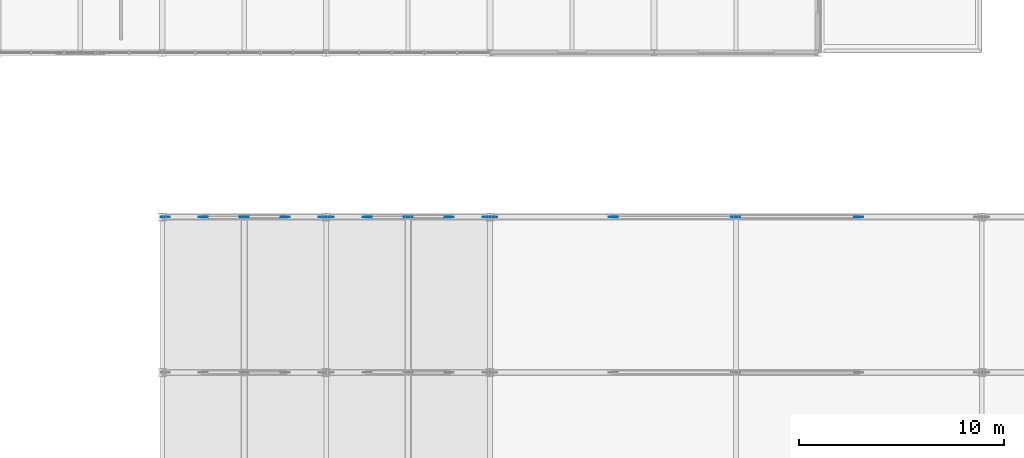
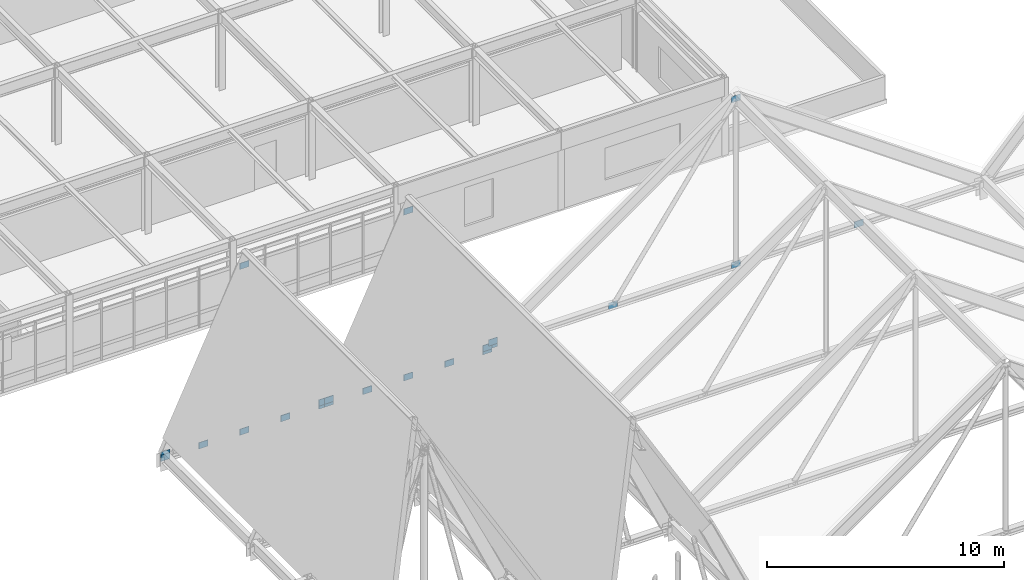
# One storey, part 67 of 85: 22 plates.
"""IFC4 building model written with IfcOpenShell, lengths in metres."""

from ifc_helpers import new_model, si_unit, direction, frame, origin, origin_2d, place, context, subcontext, project, spatial, rectangle, extrude, material, layer, layer_set, type_object, element, save


model = new_model("IFC4")

# Units and contexts
model_context = context("Model", 3, precision=1e-05, world=origin(), true_north=direction((0.0, 1.0)))
body_context = subcontext(model_context, "Body", "Model", "MODEL_VIEW")
ifc_project = project(units=[si_unit("LENGTHUNIT", "METRE"), si_unit("AREAUNIT", "SQUARE_METRE"), si_unit("VOLUMEUNIT", "CUBIC_METRE"), si_unit("PLANEANGLEUNIT", "RADIAN"), si_unit("MASSUNIT", "GRAM", prefix="KILO")], contexts=[model_context])

# Site, building, storey
site_placement = place(None, origin())
site = spatial("IfcSite", under=ifc_project, at=site_placement, CompositionType="ELEMENT")
building_placement = place(site_placement, origin())
building = spatial("IfcBuilding", under=site, at=building_placement, Name="Zulena Civic Courthouse", CompositionType="ELEMENT")
storey_placement = place(building_placement, frame((0.0, 0.0, 25.199951171875)))
storey = spatial("IfcBuildingStorey", under=building, at=storey_placement, Name="L05", CompositionType="ELEMENT", Elevation=25.199951171875)

# Plates
ifc_material = material(Name="Steel ASTM A572 Grade 50", Category="steel")
ifc_layer = layer(ifc_material, 0.02490234375)
ifc_layer_set = layer_set([ifc_layer], Name="Steel ASTM A572 Grade 50")
plate_type = type_object("IfcPlateType", Name="GussetPlate_440x320x25", PredefinedType="SHEET", material=ifc_layer_set)
for number, where, z_axis, x_axis, name in (
    (1, (68.139892578125, 38.0, 0.18310546875), (0.0, 0.0, 1.0), (1.0, 0.0, 0.0), "plate:fd:postW:01:38.0:0"),
    (2, (68.139892578125, 38.0, 0.3427734375), (0.0, 0.0, 1.0), (1.0, 0.0, 0.0), "plate:fd:postW:01:38.0:1"),
    (3, (75.860107421875, 38.0, 0.18310546875), (0.0, 0.0, 1.0), (1.0, 0.0, 0.0), "plate:fd:postE:01:38.0:0"),
    (4, (75.860107421875, 38.0, 0.3427734375), (0.0, 0.0, 1.0), (1.0, 0.0, 0.0), "plate:fd:postE:01:38.0:1"),
    (5, (72.0, 38.0, 0.18310546875), (0.0, 0.0, 1.0), (1.0, 0.0, 0.0), "plate:fd:king:01:38.0:0"),
    (6, (72.0, 38.0, 8.7431640625), (0.0, 0.0, 1.0), (1.0, 0.0, 0.0), "plate:fd:king:01:38.0:1"),
    (7, (70.0, 38.0, 0.18310546875), (0.0, 0.0, 1.0), (1.0, 0.0, 0.0), "plate:fd:diagW:01:38.0:0"),
    (8, (74.0, 38.0, 0.18310546875), (0.0, 0.0, 1.0), (1.0, 0.0, 0.0), "plate:fd:diagE:01:38.0:0"),
    (9, (76.139892578125, 38.0, 0.18310546875), (0.0, 0.0, 1.0), (1.0, 0.0, 0.0), "plate:fd:postW:02:38.0:0"),
    (10, (76.139892578125, 38.0, 0.3427734375), (0.0, 0.0, 1.0), (1.0, 0.0, 0.0), "plate:fd:postW:02:38.0:1"),
    (11, (83.860107421875, 38.0, 0.18310546875), (0.0, 0.0, 1.0), (1.0, 0.0, 0.0), "plate:fd:postE:02:38.0:0"),
    (12, (83.860107421875, 38.0, 0.3427734375), (0.0, 0.0, 1.0), (1.0, 0.0, 0.0), "plate:fd:postE:02:38.0:1"),
    (13, (80.0, 38.0, 0.18310546875), (0.0, 0.0, 1.0), (1.0, 0.0, 0.0), "plate:fd:king:02:38.0:0"),
    (14, (80.0, 38.0, 8.7431640625), (0.0, 0.0, 1.0), (1.0, 0.0, 0.0), "plate:fd:king:02:38.0:1"),
    (15, (78.0, 38.0, 0.18310546875), (0.0, 0.0, 1.0), (1.0, 0.0, 0.0), "plate:fd:diagW:02:38.0:0"),
    (16, (82.0, 38.0, 0.18310546875), (0.0, 0.0, 1.0), (1.0, 0.0, 0.0), "plate:fd:diagE:02:38.0:0"),
    (17, (84.139892578125, 38.0, 0.37646484375), (0.0, 0.0, 1.0), (1.0, 0.0, 0.0), "plate:fd:postW:03:38.0:0"),
    (18, (84.139892578125, 38.0, 0.53662109375), (0.0, 0.0, 1.0), (1.0, 0.0, 0.0), "plate:fd:postW:03:38.0:1"),
    (19, (96.0, 38.0, 0.37646484375), (0.0, 0.0, 1.0), (1.0, 0.0, 0.0), "plate:fd:king:03:38.0:0"),
    (20, (96.0, 38.0, 8.9365234375), (0.0, 0.0, 1.0), (1.0, 0.0, 0.0), "plate:fd:king:03:38.0:1"),
    (21, (90.0, 38.0, 0.37646484375), (0.0, 0.0, 1.0), (1.0, 0.0, 0.0), "plate:fd:diagW:03:38.0:0"),
    (22, (102.0, 38.0, 0.37646484375), (0.0, 0.0, 1.0), (1.0, 0.0, 0.0), "plate:fd:diagE:03:38.0:0"),
):
    element("IfcPlate", number, at=place(storey_placement, frame(where, z_axis=z_axis, x_axis=x_axis)), inside=storey, type_object=plate_type, Name=name, PredefinedType="SHEET", context=body_context, shape_type="SweptSolid", body=[
        extrude(rectangle(XDim=0.43994140625, YDim=0.02490234375, at=origin_2d()), origin(), (0.0, 0.0, 1.0), 0.320068359375),
    ])

save(model, "model.ifc")
